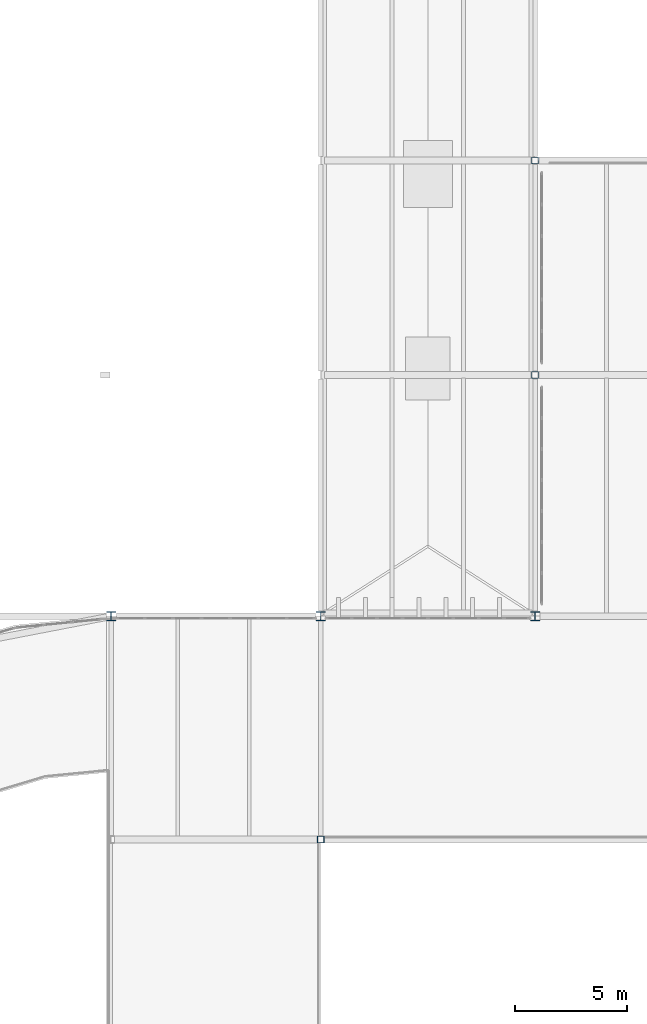
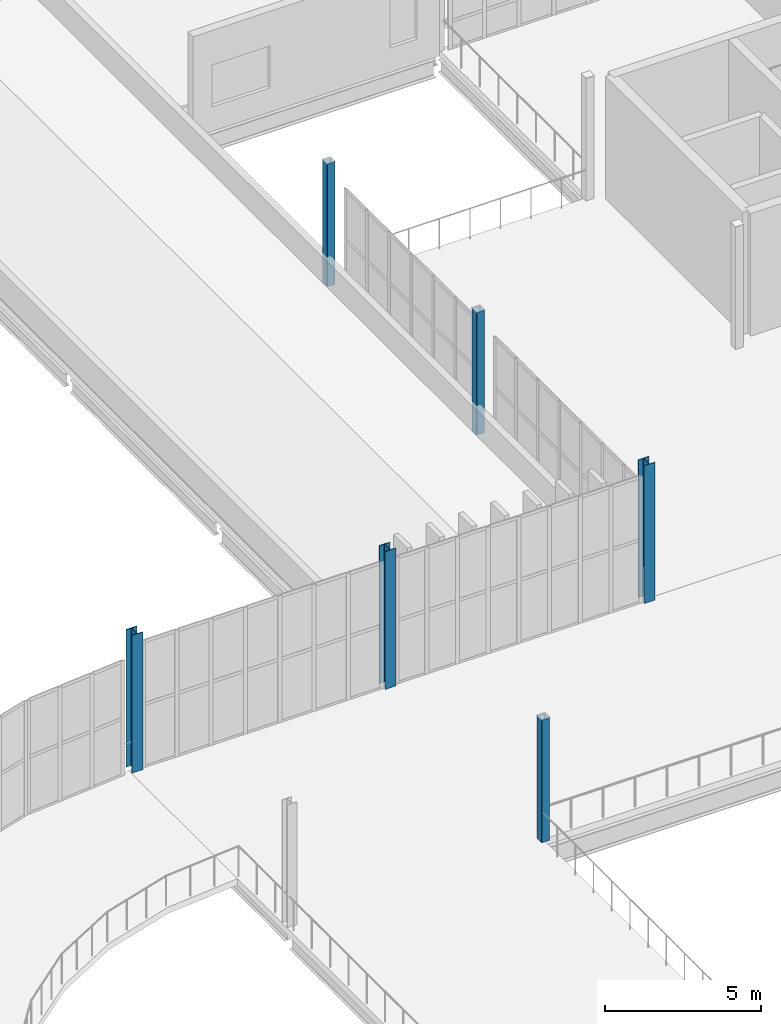
# One storey, part 8 of 112: 6 columns.
"""IFC4 building model written with IfcOpenShell, lengths in metres."""

import ifcopenshell
import ifcopenshell.guid

model = None  # the IFC model being written
_history = None  # IfcOwnerHistory: only IFC2X3 demands one
_inside = {}  # id of a spatial element -> (the spatial element, [elements in it])
_under = {}  # id of a project, library or spatial element -> (it, [spatial elements below it])
_declared = {}  # id of a project -> (the project, [libraries it declares])
_typed = {}  # id of a type object -> (the type object, [elements of that type])
_made_of = {}  # id of a material, layer set ... -> (it, [elements and type objects made of it])


def new_model(schema):
    """Start an empty IFC model of exactly this schema.

    Asked for "IFC4X3", IfcOpenShell would pick the latest addendum, in which some entities
    have other attributes; the version numbers below select the first issue.
    IFC2X3 requires an IfcOwnerHistory on every rooted entity: one is made here for all.
    """
    global model, _history
    if schema == "IFC4X3":
        model = ifcopenshell.file(schema_version=(4, 3, 0, 0))
    else:
        model = ifcopenshell.file(schema=schema)
    _inside.clear()
    _under.clear()
    _declared.clear()
    _typed.clear()
    _made_of.clear()
    _history = None
    if model.schema == "IFC2X3":
        org = make("IfcOrganization", Name="unknown")
        user = make(
            "IfcPersonAndOrganization",
            ThePerson=make("IfcPerson", FamilyName="unknown"),
            TheOrganization=org,
        )
        app = make(
            "IfcApplication",
            ApplicationDeveloper=org,
            Version="unknown",
            ApplicationFullName="unknown",
            ApplicationIdentifier="unknown",
        )
        _history = make(
            "IfcOwnerHistory",
            OwningUser=user,
            OwningApplication=app,
            ChangeAction="ADDED",
            CreationDate=0,
        )
    return model


def make(cls, **values):
    """One entity of the class cls with the attributes given. An attribute that is None is left unset."""
    return model.create_entity(
        cls, **{name: value for name, value in values.items() if value is not None}
    )


def rooted(cls, **values):
    """An entity with a GlobalId (a new one), such as an element, a storey or a relation."""
    return make(cls, GlobalId=ifcopenshell.guid.new(), OwnerHistory=_history, **values)


def si_unit(unit_type, name, prefix=None):
    """IfcSIUnit, for example si_unit("LENGTHUNIT", "METRE", prefix="MILLI")."""
    return make("IfcSIUnit", UnitType=unit_type, Prefix=prefix, Name=name)


def assignment(units):
    """IfcUnitAssignment: the units of a project."""
    return None if units is None else make("IfcUnitAssignment", Units=units)


def point(xyz):
    """IfcCartesianPoint."""
    return None if xyz is None else make("IfcCartesianPoint", Coordinates=xyz)


def direction(xyz):
    """IfcDirection."""
    return None if xyz is None else make("IfcDirection", DirectionRatios=xyz)


def frame(location, z_axis=None, x_axis=None):
    """IfcAxis2Placement3D, a coordinate frame: its origin and axes. An axis left out is left unset."""
    return make(
        "IfcAxis2Placement3D",
        Location=point(location),
        Axis=direction(z_axis),
        RefDirection=direction(x_axis),
    )


def frame_2d(location, x_axis=None):
    """IfcAxis2Placement2D, a coordinate frame in the plane: its origin and x axis."""
    return make(
        "IfcAxis2Placement2D", Location=point(location), RefDirection=direction(x_axis)
    )


def origin():
    """The frame at (0, 0, 0) with its axes left unset."""
    return frame((0.0, 0.0, 0.0))


def origin_2d():
    """The frame at (0, 0) in the plane with its x axis left unset."""
    return frame_2d((0.0, 0.0))


def place(relative_to, where):
    """IfcLocalPlacement: puts the frame where relative to a parent placement (None: the world)."""
    return make(
        "IfcLocalPlacement", PlacementRelTo=relative_to, RelativePlacement=where
    )


def context(
    kind, dimensions, precision=None, world=None, true_north=None, identifier=None
):
    """IfcGeometricRepresentationContext, for example the 3D "Model" context."""
    return make(
        "IfcGeometricRepresentationContext",
        ContextIdentifier=identifier,
        ContextType=kind,
        CoordinateSpaceDimension=dimensions,
        Precision=precision,
        WorldCoordinateSystem=world,
        TrueNorth=true_north,
    )


def subcontext(parent, identifier, kind, view, scale=None):
    """IfcGeometricRepresentationSubContext, for example "Body" below "Model"."""
    return make(
        "IfcGeometricRepresentationSubContext",
        ContextIdentifier=identifier,
        ContextType=kind,
        ParentContext=parent,
        TargetScale=scale,
        TargetView=view,
    )


def project(units=None, contexts=None):
    """IfcProject with its units and contexts."""
    return rooted(
        "IfcProject",
        Name="project",
        RepresentationContexts=contexts,
        UnitsInContext=assignment(units),
    )


def spatial(cls, under=None, at=None, **own):
    """A site, building, storey or space (cls), placed at a placement, below another one or the project."""
    s = rooted(cls, ObjectPlacement=at, **own)
    if under is not None:
        _under.setdefault(under.id(), (under, []))[1].append(s)
    return s


def profile(cls, at=None, kind="AREA", **sizes):
    """A parametric profile (cls). Its sizes go by their IFC names, for example OverallWidth=200.0."""
    return make(cls, ProfileType=kind, Position=at, **sizes)


def hollow_rectangle(**sizes):
    """IfcRectangleHollowProfileDef."""
    return profile("IfcRectangleHollowProfileDef", **sizes)


def i_section(**sizes):
    """IfcIShapeProfileDef."""
    return profile("IfcIShapeProfileDef", **sizes)


def extrude(swept, where, along, depth):
    """IfcExtrudedAreaSolid: the profile swept, set in the frame where, extruded along a direction by depth."""
    return make(
        "IfcExtrudedAreaSolid",
        SweptArea=swept,
        Position=where,
        ExtrudedDirection=direction(along),
        Depth=depth,
    )


def shape(context_of_items, identifier, shape_type, items):
    """IfcShapeRepresentation: the items that make up one representation, for example the "Body"."""
    return make(
        "IfcShapeRepresentation",
        ContextOfItems=context_of_items,
        RepresentationIdentifier=identifier,
        RepresentationType=shape_type,
        Items=items,
    )


def material(Name=None, Category=None):
    """IfcMaterial."""
    return make("IfcMaterial", Name=Name, Category=Category)


def material_profile(
    of_material, cross_section, Name=None, Category=None, Priority=None
):
    """IfcMaterialProfile: a cross section and its material."""
    return make(
        "IfcMaterialProfile",
        Name=Name,
        Material=of_material,
        Profile=cross_section,
        Priority=Priority,
        Category=Category,
    )


def profile_set(profiles, Name=None, composite=None):
    """IfcMaterialProfileSet."""
    return make(
        "IfcMaterialProfileSet",
        Name=Name,
        MaterialProfiles=profiles,
        CompositeProfile=composite,
    )


def made_of(thing, what):
    """Note that an element or type object is made of a material, layer set ...; save() writes the relation."""
    if what is not None:
        _made_of.setdefault(what.id(), (what, []))[1].append(thing)
    return thing


def type_object(cls, material=None, **own):
    """A type object (cls), such as IfcWallType, which elements share."""
    return made_of(rooted(cls, **own), material)


def element(
    cls,
    number,
    at=None,
    inside=None,
    cuts=None,
    type_object=None,
    material=None,
    context=None,
    identifier="Body",
    shape_type=None,
    held_by="IfcProductDefinitionShape",
    body=None,
    shapes=None,
    **own,
):
    """One element of the class cls, such as IfcWall. Its Tag is "e" and its number.

    at: its placement. inside: the storey or other place that contains it. cuts: it is an
    opening in that element (IfcRelVoidsElement). A single representation is given by context,
    identifier, shape_type and body (its items); several are given by shapes. held_by: the class
    of the entity that holds the representations. save() writes the other relations.
    """
    e = rooted(cls, Tag="e%d" % number, ObjectPlacement=at, **own)
    if body is not None:
        shapes = [shape(context, identifier, shape_type, body)]
    if shapes is not None:
        e.Representation = make(held_by, Representations=shapes)
    if inside is not None:
        _inside.setdefault(inside.id(), (inside, []))[1].append(e)
    if cuts is not None:
        rooted(
            "IfcRelVoidsElement", RelatingBuildingElement=cuts, RelatedOpeningElement=e
        )
    if type_object is not None:
        _typed.setdefault(type_object.id(), (type_object, []))[1].append(e)
    return made_of(e, material)


def aggregate(whole, parts):
    """IfcRelAggregates: a whole, such as a stair, and the parts it consists of."""
    return rooted("IfcRelAggregates", RelatingObject=whole, RelatedObjects=parts)


def save(model, path):
    """Write the relations noted so far, then the file.

    IfcRelAggregates (storeys below a building ...), IfcRelContainedInSpatialStructure (elements
    in a storey), IfcRelDefinesByType, IfcRelAssociatesMaterial and IfcRelDeclares: one each for
    every whole, place, type object, material and project.
    """
    for whole, parts in _under.values():
        aggregate(whole, parts)
    for where, things in _inside.values():
        rooted(
            "IfcRelContainedInSpatialStructure",
            RelatedElements=things,
            RelatingStructure=where,
        )
    for kind, things in _typed.values():
        rooted("IfcRelDefinesByType", RelatedObjects=things, RelatingType=kind)
    for what, things in _made_of.values():
        rooted("IfcRelAssociatesMaterial", RelatedObjects=things, RelatingMaterial=what)
    for by, libraries in _declared.values():
        rooted("IfcRelDeclares", RelatingContext=by, RelatedDefinitions=libraries)
    model.write(path)


model = new_model("IFC4")

# Units and contexts
model_context = context("Model", 3, precision=1e-05, world=origin(), true_north=direction((0.0, 1.0)))
body_context = subcontext(model_context, "Body", "Model", "MODEL_VIEW")
ifc_project = project(units=[si_unit("LENGTHUNIT", "METRE"), si_unit("AREAUNIT", "SQUARE_METRE"), si_unit("VOLUMEUNIT", "CUBIC_METRE"), si_unit("PLANEANGLEUNIT", "RADIAN"), si_unit("MASSUNIT", "GRAM", prefix="KILO")], contexts=[model_context])

# Site, building, storey
site_placement = place(None, origin())
site = spatial("IfcSite", under=ifc_project, at=site_placement, CompositionType="ELEMENT")
building_placement = place(site_placement, origin())
building = spatial("IfcBuilding", under=site, at=building_placement, Name="Yeouljin Market Hall", CompositionType="ELEMENT")
storey_placement = place(building_placement, frame((0.0, 0.0, 6.0)))
storey = spatial("IfcBuildingStorey", under=building, at=storey_placement, Name="L01", CompositionType="ELEMENT", Elevation=6.0)

# Columns
ifc_material_1 = material(Name="Steel SM355", Category="steel")
ifc_material_profile_1 = material_profile(ifc_material_1, i_section(OverallWidth=0.39990234375, OverallDepth=0.39990234375, WebThickness=0.012939453125, FlangeThickness=0.02099609375, FilletRadius=0.02197265625, at=origin_2d()), Name="H-400x400x13x21")
ifc_profile_set_1 = profile_set([ifc_material_profile_1], Name="Steel SM355")
column_type_1 = type_object("IfcColumnType", Name="Col_H-400x400x13x21", PredefinedType="COLUMN", material=ifc_profile_set_1)
for number, where, z_axis, x_axis, name in (
    (1, (35.614990234375, 78.0, 0.0), (0.0, 0.0, 1.0), (1.0, 0.0, 0.0), "Column G-05-08 (L01)"),
    (2, (45.0, 78.0, 0.0), (0.0, 0.0, 1.0), (1.0, 0.0, 0.0), "Column G-06-08 (L01)"),
    (3, (54.60009765625, 78.0, 0.0), (0.0, 0.0, 1.0), (1.0, 0.0, 0.0), "Column G-07-08 (L01)"),
):
    element("IfcColumn", number, at=place(storey_placement, frame(where, z_axis=z_axis, x_axis=x_axis)), inside=storey, type_object=column_type_1, Name=name, PredefinedType="COLUMN", context=body_context, shape_type="SweptSolid", body=[
        extrude(i_section(OverallWidth=0.39990234375, OverallDepth=0.39990234375, WebThickness=0.012939453125, FlangeThickness=0.02099609375, FilletRadius=0.02197265625, at=origin_2d()), origin(), (0.0, 0.0, 1.0), 5.39990234375),
    ])
ifc_material_2 = material(Name="Steel SM355", Category="steel")
ifc_material_profile_2 = material_profile(ifc_material_2, hollow_rectangle(XDim=0.300048828125, YDim=0.300048828125, WallThickness=0.010009765625, InnerFilletRadius=0.010009765625, OuterFilletRadius=0.01611328125, at=origin_2d()), Name="SHS-300x300x10")
ifc_profile_set_2 = profile_set([ifc_material_profile_2], Name="Steel SM355")
column_type_2 = type_object("IfcColumnType", Name="Col_SHS-300x300x10", PredefinedType="COLUMN", material=ifc_profile_set_2)
for number, where, z_axis, x_axis, name in (
    (4, (45.0, 68.0, 0.0), (0.0, 0.0, 1.0), (1.0, 0.0, 0.0), "Column G-06-07 (L01)"),
    (5, (54.60009765625, 88.800048828125, 0.0), (0.0, 0.0, 1.0), (1.0, 0.0, 0.0), "Column G-07-09 (L01)"),
    (6, (54.60009765625, 98.39990234375, 0.0), (0.0, 0.0, 1.0), (1.0, 0.0, 0.0), "Column G-07-10 (L01)"),
):
    element("IfcColumn", number, at=place(storey_placement, frame(where, z_axis=z_axis, x_axis=x_axis)), inside=storey, type_object=column_type_2, Name=name, PredefinedType="COLUMN", context=body_context, shape_type="SweptSolid", body=[
        extrude(hollow_rectangle(XDim=0.300048828125, YDim=0.300048828125, WallThickness=0.010009765625, InnerFilletRadius=0.010009765625, OuterFilletRadius=0.01611328125, at=origin_2d()), origin(), (0.0, 0.0, 1.0), 4.800048828125),
    ])

save(model, "model.ifc")
